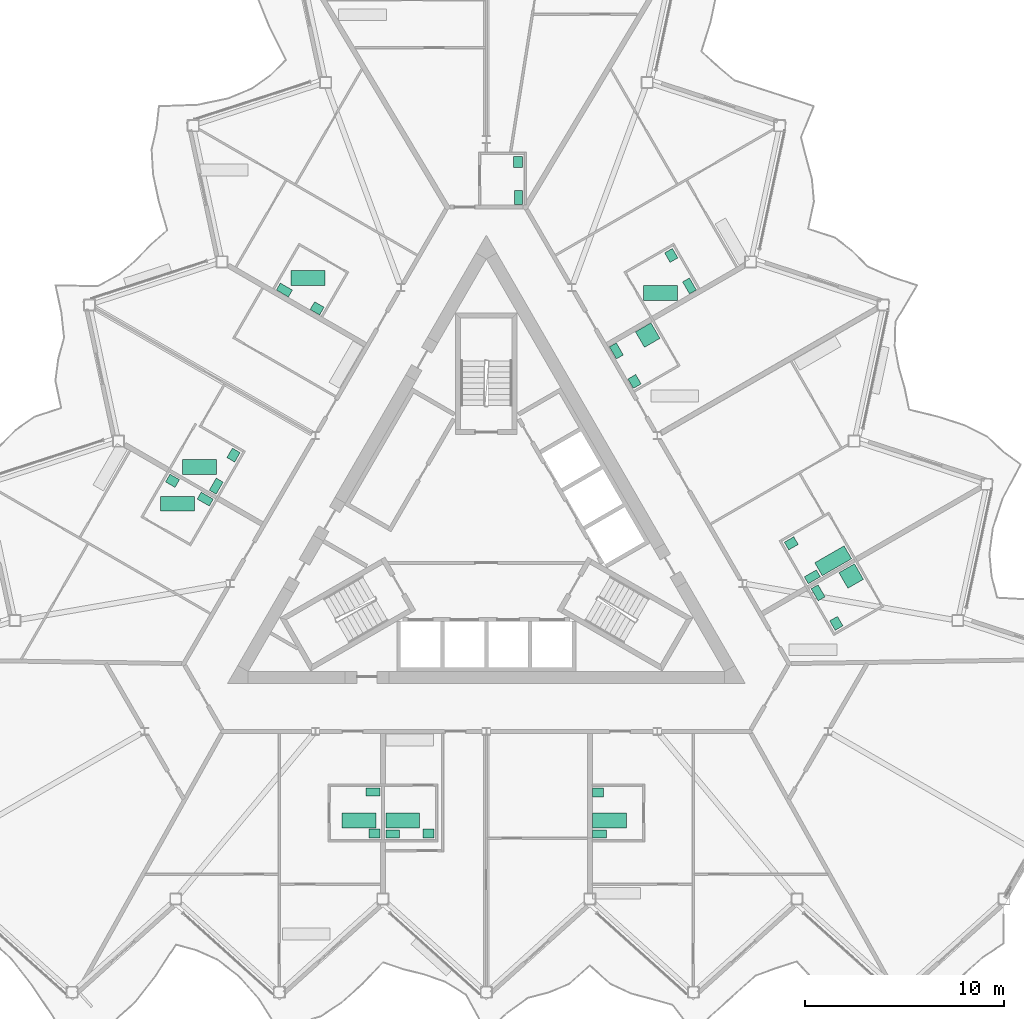
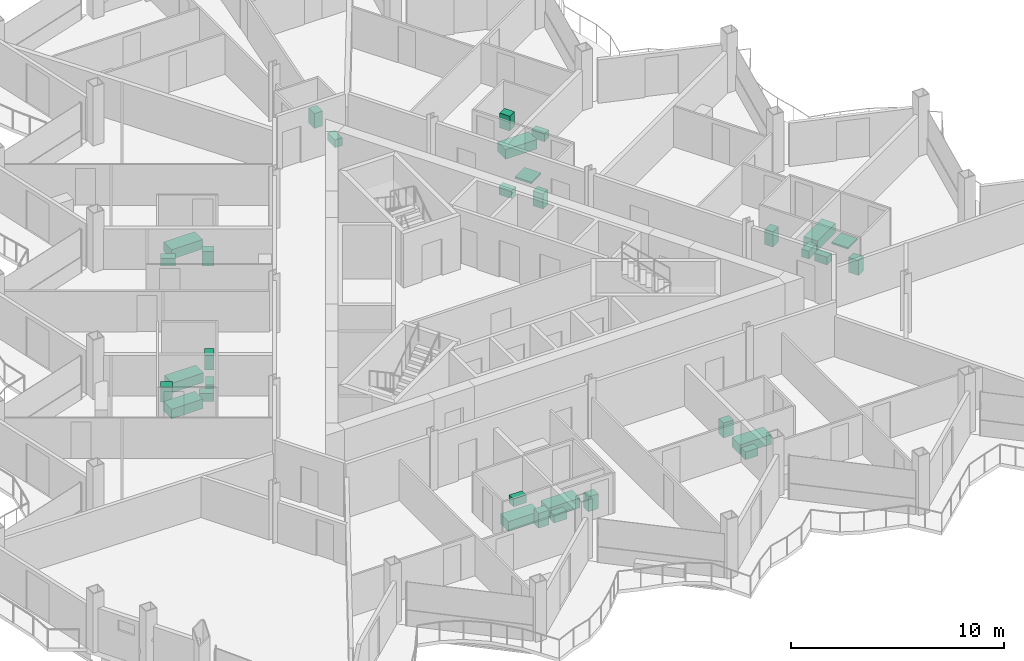
# One storey, part 25 of 26: 32 sanitary terminals.
"""IFC4 building model written with IfcOpenShell, lengths in metres."""

from ifc_helpers import new_model, si_unit, direction, frame, origin, origin_2d, place, context, subcontext, project, spatial, rectangle, extrude, material, type_object, element, save


model = new_model("IFC4")

# Units and contexts
model_context = context("Model", 3, precision=1e-05, world=origin(), true_north=direction((0.0, 1.0)))
body_context = subcontext(model_context, "Body", "Model", "MODEL_VIEW")
ifc_project = project(units=[si_unit("LENGTHUNIT", "METRE"), si_unit("AREAUNIT", "SQUARE_METRE"), si_unit("VOLUMEUNIT", "CUBIC_METRE"), si_unit("PLANEANGLEUNIT", "RADIAN"), si_unit("MASSUNIT", "GRAM", prefix="KILO")], contexts=[model_context])

# Site, building, storey
site_placement = place(None, origin())
site = spatial("IfcSite", under=ifc_project, at=site_placement, CompositionType="ELEMENT")
building_placement = place(site_placement, origin())
building = spatial("IfcBuilding", under=site, at=building_placement, Name="Cormorant Prow Tower", CompositionType="ELEMENT")
storey_placement = place(building_placement, frame((0.0, 0.0, 325.60009765625)))
storey = spatial("IfcBuildingStorey", under=building, at=storey_placement, Name="L72", CompositionType="ELEMENT", Elevation=325.60009765625)

# Sanitary terminals
ifc_material_1 = material(Name="Vitreous china")
sanitary_terminal_type_1 = type_object("IfcSanitaryTerminalType", Name="Bath 1700x750", PredefinedType="BATH", material=ifc_material_1)
for number, where, z_axis, x_axis, name in (
    (1, (-6.399658203125, -14.385498046875, 0.0), (0.0, 0.0, 1.0), (1.0, 0.0, 0.0), "Bath"),
    (2, (-4.19970703125, -14.385498046875, 0.0), (0.0, 0.0, 1.0), (1.0, 0.0, 0.0), "Bath"),
    (3, (6.189697265625, -14.385498046875, 0.0), (0.0, 0.0, 1.0), (1.0, 0.0, 0.0), "Bath"),
    (4, (17.41455078125, -1.341796875, 0.0), (0.0, 0.0, 1.0), (-0.866025403784, -0.5, 0.0), "Bath"),
    (5, (8.7490234375, 12.106201171875, 0.0), (0.0, 0.0, 1.0), (1.0, 0.0, 0.0), "Bath"),
    (6, (-8.964599609375, 12.856201171875, 0.0), (0.0, 0.0, 1.0), (1.0, 0.0, 0.0), "Bath"),
    (7, (-14.4091796875, 3.35888671875, 0.0), (0.0, 0.0, 1.0), (1.0, 0.0, 0.0), "Bath"),
    (8, (-15.50927734375, 1.5205078125, 0.0), (0.0, 0.0, 1.0), (1.0, 0.0, 0.0), "Bath"),
):
    element("IfcSanitaryTerminal", number, at=place(storey_placement, frame(where, z_axis=z_axis, x_axis=x_axis)), inside=storey, type_object=sanitary_terminal_type_1, Name=name, PredefinedType="BATH", context=body_context, shape_type="SweptSolid", body=[
        extrude(rectangle(XDim=1.699951171875, YDim=0.75, at=origin_2d()), origin(), (0.0, 0.0, 1.0), 0.550048828125),
    ])
ifc_material_2 = material(Name="Vitreous china")
sanitary_terminal_type_2 = type_object("IfcSanitaryTerminalType", Name="Shower tray 900x900", PredefinedType="SHOWER", material=ifc_material_2)
for number, where, z_axis, x_axis, name in (
    (9, (18.318603515625, -2.107421875, -0.000244140625), (0.0, 0.0, 1.0), (0.5, -0.866025403784, 0.0), "Shower tray"),
    (10, (8.1015625, 9.98876953125, -0.000244140625), (0.0, 0.0, 1.0), (0.5, -0.866025403784, 0.0), "Shower tray"),
):
    element("IfcSanitaryTerminal", number, at=place(storey_placement, frame(where, z_axis=z_axis, x_axis=x_axis)), inside=storey, type_object=sanitary_terminal_type_2, Name=name, PredefinedType="SHOWER", context=body_context, shape_type="SweptSolid", body=[
        extrude(rectangle(XDim=0.89990234375, YDim=0.89990234375, at=origin_2d()), origin(), (0.0, 0.0, 1.0), 0.10009765625),
    ])
ifc_material_3 = material(Name="Vitreous china")
sanitary_terminal_type_3 = type_object("IfcSanitaryTerminalType", Name="Wash basin 550x450", PredefinedType="WASHHANDBASIN", material=ifc_material_3)
for number, where, z_axis, x_axis, name in (
    (11, (-5.61474609375, -15.03564453125, -0.000244140625), (0.0, 0.0, 1.0), (-1.0, 0.0, 0.0), "Wash basin"),
    (12, (-2.914794921875, -15.03564453125, -0.000244140625), (0.0, 0.0, 1.0), (-1.0, 0.0, 0.0), "Wash basin"),
    (13, (5.61474609375, -12.9755859375, -0.000244140625), (0.0, 0.0, 1.0), (1.0, 0.0, 0.0), "Wash basin"),
    (14, (17.572021484375, -4.484375, -0.000244140625), (0.0, 0.0, 1.0), (-0.5, 0.866025403784, 0.0), "Wash basin"),
    (15, (15.310302734375, -0.466796875, -0.000244140625), (0.0, 0.0, 1.0), (0.866025403784, 0.5, 0.0), "Wash basin"),
    (16, (7.44140625, 7.662109375, -0.000244140625), (0.0, 0.0, 1.0), (-0.5, 0.866025403784, 0.0), "Wash basin"),
    (17, (9.28369140625, 13.9912109375, -0.000244140625), (0.0, 0.0, 1.0), (0.5, -0.866025403784, 0.0), "Wash basin"),
    (18, (1.593017578125, 18.691162109375, -0.000244140625), (0.0, 0.0, 1.0), (0.0, -1.0, 0.0), "Wash basin"),
    (19, (-8.498046875, 11.33203125, -0.000244140625), (0.0, 0.0, 1.0), (-0.866025403784, 0.5, 0.0), "Wash basin"),
    (20, (-12.694580078125, 3.963623046875, -0.000244140625), (0.0, 0.0, 1.0), (-0.5, -0.866025403784, 0.0), "Wash basin"),
    (21, (-15.76025390625, 2.673583984375, -0.000244140625), (0.0, 0.0, 1.0), (0.866025403784, -0.5, 0.0), "Wash basin"),
):
    element("IfcSanitaryTerminal", number, at=place(storey_placement, frame(where, z_axis=z_axis, x_axis=x_axis)), inside=storey, type_object=sanitary_terminal_type_3, Name=name, PredefinedType="WASHHANDBASIN", context=body_context, shape_type="SweptSolid", body=[
        extrude(rectangle(XDim=0.550048828125, YDim=0.449951171875, at=origin_2d()), origin(), (0.0, 0.0, 1.0), 0.85009765625),
    ])
ifc_material_4 = material(Name="Vitreous china")
sanitary_terminal_type_4 = type_object("IfcSanitaryTerminalType", Name="Water closet 400x700", PredefinedType="WCSEAT", material=ifc_material_4)
for number, where, z_axis, x_axis, name in (
    (22, (-5.689697265625, -12.95068359375, 0.0), (0.0, 0.0, 1.0), (0.0, -1.0, 0.0), "Water closet"),
    (23, (-4.69970703125, -15.060546875, 0.0), (0.0, 0.0, 1.0), (0.0, 1.0, 0.0), "Water closet"),
    (24, (5.689697265625, -15.060546875, 0.0), (0.0, 0.0, 1.0), (0.0, 1.0, 0.0), "Water closet"),
    (25, (16.65771484375, -2.950927734375, 0.0), (0.0, 0.0, 1.0), (0.866025403784, 0.5, 0.0), "Water closet"),
    (26, (16.36767578125, -2.1484375, 0.0), (0.0, 0.0, 1.0), (-0.5, 0.866025403784, 0.0), "Water closet"),
    (27, (6.52734375, 9.1953125, 0.0), (0.0, 0.0, 1.0), (0.866025403784, 0.5, 0.0), "Water closet"),
    (28, (10.197998046875, 12.457763671875, 0.0), (0.0, 0.0, 1.0), (-0.866025403784, -0.5, 0.0), "Water closet"),
    (29, (1.617919921875, 16.906005859375, 0.0), (0.0, 0.0, 1.0), (-1.0, 0.0, 0.0), "Water closet"),
    (30, (-10.14306640625, 12.252685546875, 0.0), (0.0, 0.0, 1.0), (0.5, 0.866025403784, 0.0), "Water closet"),
    (31, (-13.5654296875, 2.4052734375, 0.0), (0.0, 0.0, 1.0), (-0.866025403784, 0.5, 0.0), "Water closet"),
    (32, (-14.115234375, 1.752685546875, 0.0), (0.0, 0.0, 1.0), (-0.5, -0.866025403784, 0.0), "Water closet"),
):
    element("IfcSanitaryTerminal", number, at=place(storey_placement, frame(where, z_axis=z_axis, x_axis=x_axis)), inside=storey, type_object=sanitary_terminal_type_4, Name=name, PredefinedType="WCSEAT", context=body_context, shape_type="SweptSolid", body=[
        extrude(rectangle(XDim=0.39990234375, YDim=0.699951171875, at=origin_2d()), origin(), (0.0, 0.0, 1.0), 0.449951171875),
    ])

save(model, "model.ifc")
